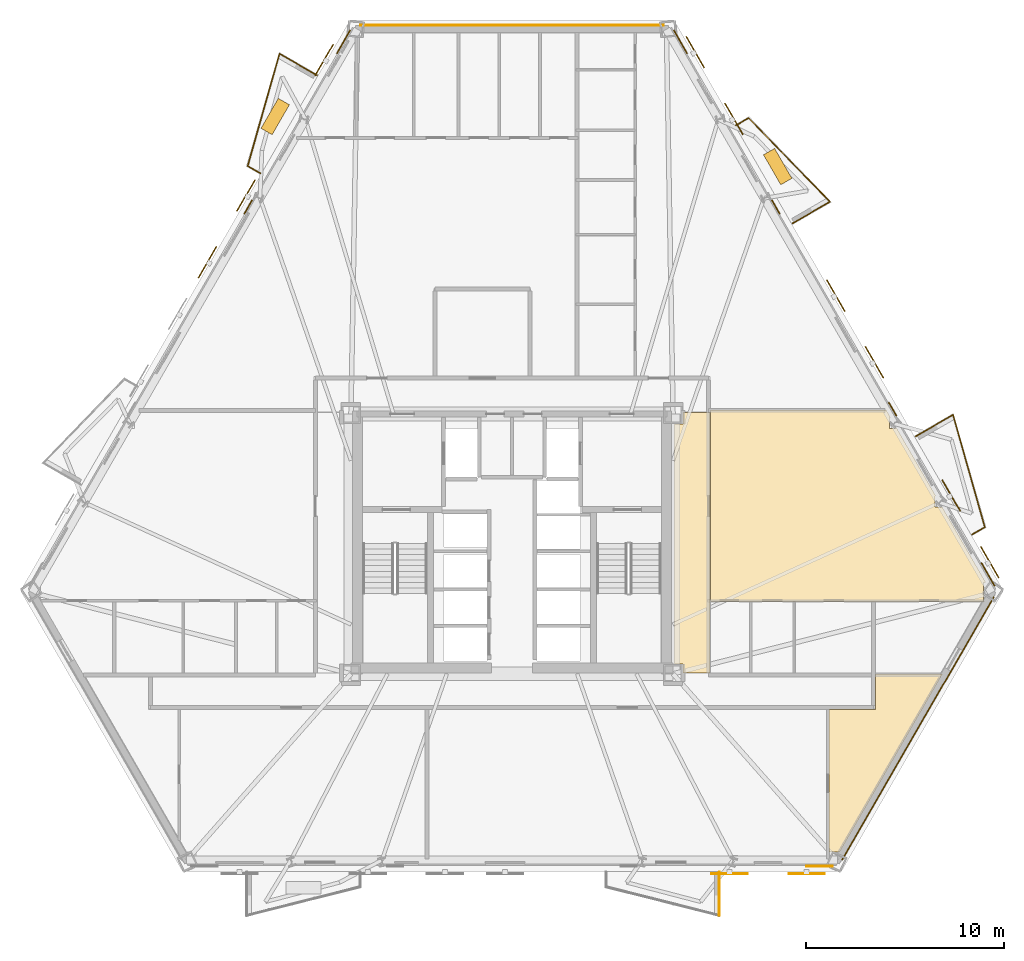
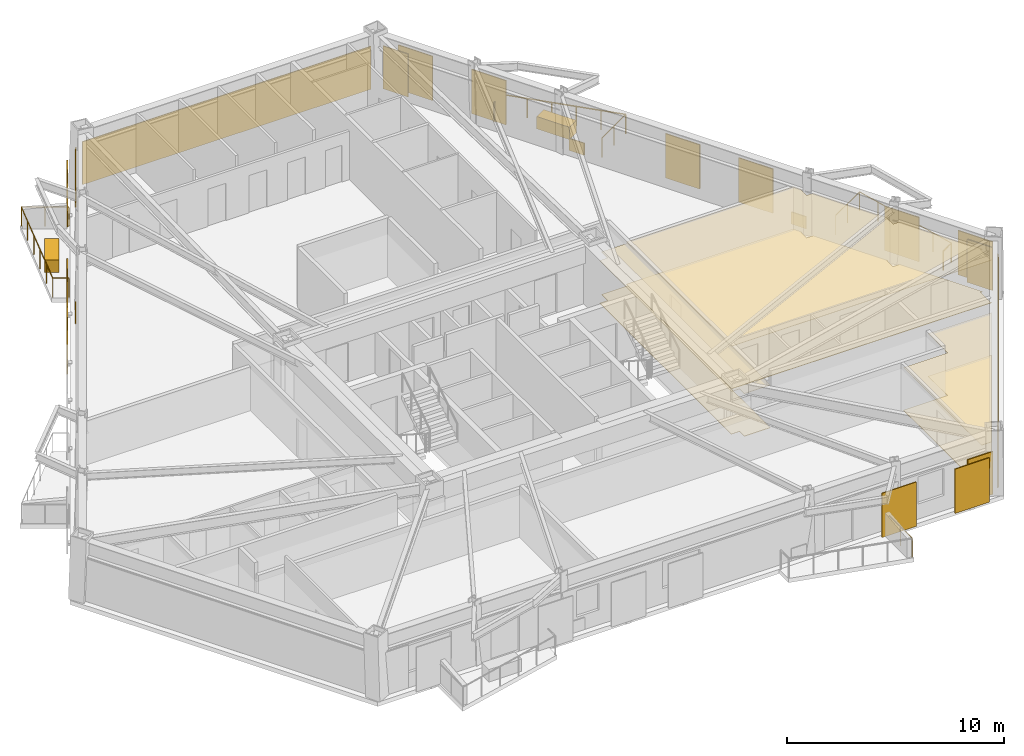
# One storey, part 12 of 12: 17 coverings, 11 shading devices, 10 railings.
"""IFC4 building model written with IfcOpenShell, lengths in metres."""

from ifc_helpers import new_model, si_unit, direction, frame, origin, origin_2d, place, context, subcontext, project, spatial, polyline, rectangle, circle, outline, extrude, material, layer, layer_set, type_object, element, save


model = new_model("IFC4")

# Units and contexts
model_context = context("Model", 3, precision=1e-05, world=origin(), true_north=direction((0.0, 1.0)))
body_context = subcontext(model_context, "Body", "Model", "MODEL_VIEW")
ifc_project = project(units=[si_unit("LENGTHUNIT", "METRE"), si_unit("AREAUNIT", "SQUARE_METRE"), si_unit("VOLUMEUNIT", "CUBIC_METRE"), si_unit("PLANEANGLEUNIT", "RADIAN"), si_unit("MASSUNIT", "GRAM", prefix="KILO")], contexts=[model_context])

# Site, building, storey
site_placement = place(None, origin())
site = spatial("IfcSite", under=ifc_project, at=site_placement, CompositionType="ELEMENT")
building_placement = place(site_placement, origin())
building = spatial("IfcBuilding", under=site, at=building_placement, Name="Oramaril Tower", CompositionType="ELEMENT")
storey_placement = place(building_placement, frame((0.0, 0.0, 30.89990234375)))
storey = spatial("IfcBuildingStorey", under=building, at=storey_placement, Name="L07", CompositionType="ELEMENT", Elevation=30.89990234375)

# Coverings
ifc_material_1 = material(Name="Mineral Fibre Acoustic Ceiling")
ifc_layer_1 = layer(ifc_material_1, 0.02001953125)
ifc_layer_set_1 = layer_set([ifc_layer_1], Name="CVT-CEIL")
covering_type_1 = type_object("IfcCoveringType", Name="CVT-CEIL", PredefinedType="CEILING", material=ifc_layer_set_1)
covering_1_placement = place(storey_placement, frame((0.0, 0.0, 2.400146484375)))
element("IfcCovering", 1, at=covering_1_placement, inside=storey, type_object=covering_type_1, Name="L07 Acoustic Suspended Ceiling 4", PredefinedType="CEILING", context=body_context, shape_type="SweptSolid", body=[
    extrude(outline(polyline([(47.530029296875, 11.050048828125), (46.14501953125, 11.050048828125), (46.14501953125, 11.4951171875), (45.719970703125, 11.4951171875), (45.719970703125, 23.655029296875), (46.14501953125, 23.655029296875), (46.14501953125, 24.219970703125), (47.530029296875, 24.219970703125), (47.530029296875, 11.050048828125)])), origin(), (0.0, 0.0, 1.0), 0.02001953125),
])
covering_2_placement = place(storey_placement, frame((0.0, 0.0, 2.400146484375)))
element("IfcCovering", 2, at=covering_2_placement, inside=storey, type_object=covering_type_1, Name="L07 Acoustic Suspended Ceiling 9", PredefinedType="CEILING", context=body_context, shape_type="SweptSolid", body=[
    extrude(outline(polyline([(59.28759765625, 10.991943359375), (54.090576171875, 1.990234375), (53.5537109375, 1.990234375), (53.5537109375, 9.199951171875), (55.8798828125, 9.199951171875), (55.882080078125, 9.2001953125), (55.8837890625, 9.200439453125), (55.8857421875, 9.200927734375), (55.8876953125, 9.201416015625), (55.889404296875, 9.202392578125), (55.89111328125, 9.203369140625), (55.892578125, 9.20458984375), (55.89404296875, 9.205810546875), (55.8955078125, 9.207275390625), (55.896484375, 9.208984375), (55.897705078125, 9.210693359375), (55.8984375, 9.21240234375), (55.899169921875, 9.214111328125), (55.899658203125, 9.216064453125), (55.89990234375, 9.218017578125), (55.89990234375, 9.219970703125), (55.89990234375, 10.991943359375), (59.28759765625, 10.991943359375)])), origin(), (0.0, 0.0, 1.0), 0.02001953125),
])
covering_3_placement = place(storey_placement, frame((0.0, 0.0, 2.400146484375)))
element("IfcCovering", 3, at=covering_3_placement, inside=storey, type_object=covering_type_1, Name="L07 Acoustic Suspended Ceiling 16", PredefinedType="CEILING", context=body_context, shape_type="SweptSolid", body=[
    extrude(outline(polyline([(56.65869140625, 23.96875), (56.6025390625, 23.96875), (56.6025390625, 23.42529296875), (56.972412109375, 23.42529296875), (58.956298828125, 19.989013671875), (58.9072265625, 19.989013671875), (58.9072265625, 19.43359375), (59.277099609375, 19.43359375), (61.476806640625, 15.623779296875), (61.358154296875, 15.623779296875), (61.358154296875, 14.6884765625), (61.421630859375, 14.6884765625), (61.400390625, 14.651611328125), (47.550048828125, 14.651611328125), (47.550048828125, 24.219970703125), (47.5498046875, 24.221923828125), (47.549560546875, 24.223876953125), (47.549072265625, 24.225830078125), (47.548583984375, 24.227783203125), (47.547607421875, 24.2294921875), (47.54736328125, 24.22998046875), (47.547607421875, 24.230712890625), (47.548583984375, 24.232421875), (47.549072265625, 24.234130859375), (47.549560546875, 24.236083984375), (47.5498046875, 24.238037109375), (47.550048828125, 24.239990234375), (47.550048828125, 24.362060546875), (56.431640625, 24.362060546875), (56.65869140625, 23.96875)])), origin(), (0.0, 0.0, 1.0), 0.02001953125),
])
ifc_material_2 = material(Name="Warm Cream Limestone", Category="masonry")
ifc_layer_2 = layer(ifc_material_2, 0.050048828125)
ifc_layer_set_2 = layer_set([ifc_layer_2], Name="CVT-CLD")
covering_type_2 = type_object("IfcCoveringType", Name="CVT-CLD", PredefinedType="CLADDING", material=ifc_layer_set_2)
covering_4_placement = place(storey_placement, frame((53.062255859375, 1.272705078125, 0.0400390625), z_axis=(0.0, 0.0, 1.0), x_axis=(1.0, 0.0, 0.0)))
element("IfcCovering", 4, at=covering_4_placement, inside=storey, type_object=covering_type_2, Name="L07 Warm Cream Limestone Cladding", PredefinedType="CLADDING", context=body_context, shape_type="SweptSolid", body=[
    extrude(rectangle(XDim=1.35009765625, YDim=0.050048828125, at=origin_2d()), origin(), (0.0, 0.0, 1.0), 2.4140625),
])
covering_5_placement = place(storey_placement, frame((58.045166015625, 8.23828125, 0.0400390625), z_axis=(0.0, 0.0, 1.0), x_axis=(0.4999984885, 0.866026276448, 0.0)))
element("IfcCovering", 5, at=covering_5_placement, inside=storey, type_object=covering_type_2, Name="L07 Warm Cream Limestone Cladding", PredefinedType="CLADDING", context=body_context, shape_type="SweptSolid", body=[
    extrude(rectangle(XDim=15.36328125, YDim=0.050048828125, at=origin_2d()), origin(), (0.0, 0.0, 1.0), 2.4140625),
])
for number, where, z_axis, x_axis, name in (
    (6, (61.5859375, 16.036376953125, 0.0400390625), (0.0, 0.0, 1.0), (-0.5, 0.866025403784, 0.0), "L07 Warm Cream Limestone Cladding"),
    (7, (46.023681640625, 42.990966796875, 0.0400390625), (0.0, 0.0, 1.0), (-0.5, 0.866025403784, 0.0), "L07 Warm Cream Limestone Cladding"),
):
    element("IfcCovering", number, at=place(storey_placement, frame(where, z_axis=z_axis, x_axis=x_axis)), inside=storey, type_object=covering_type_2, Name=name, PredefinedType="CLADDING", context=body_context, shape_type="SweptSolid", body=[
        extrude(rectangle(XDim=1.35009765625, YDim=0.050048828125, at=origin_2d()), origin(), (0.0, 0.0, 1.0), 2.4140625),
    ])
for number, where, z_axis, x_axis, name in (
    (8, (56.759033203125, 24.396728515625, 0.0400390625), (0.0, 0.0, 1.0), (-0.5, 0.866025403784, 0.0), "L07 Warm Cream Limestone Spandrel Cladding"),
    (9, (50.8505859375, 34.630615234375, 0.0400390625), (0.0, 0.0, 1.0), (-0.5, 0.866025403784, 0.0), "L07 Warm Cream Limestone Spandrel Cladding"),
):
    element("IfcCovering", number, at=place(storey_placement, frame(where, z_axis=z_axis, x_axis=x_axis)), inside=storey, type_object=covering_type_2, Name=name, PredefinedType="CLADDING", context=body_context, shape_type="SweptSolid", body=[
        extrude(rectangle(XDim=0.800048828125, YDim=0.050048828125, at=origin_2d()), origin(), (0.0, 0.0, 1.0), 0.679931640625),
    ])
covering_6_placement = place(storey_placement, frame((37.5, 43.823486328125, 0.0400390625), z_axis=(0.0, 0.0, 1.0), x_axis=(-1.0, 0.0, 0.0)))
element("IfcCovering", 10, at=covering_6_placement, inside=storey, type_object=covering_type_2, Name="L07 Warm Cream Limestone Cladding", PredefinedType="CLADDING", context=body_context, shape_type="SweptSolid", body=[
    extrude(rectangle(XDim=15.36328125, YDim=0.050048828125, at=origin_2d()), origin(), (0.0, 0.0, 1.0), 2.4140625),
])
covering_7_placement = place(storey_placement, frame((28.976318359375, 42.990966796875, 0.0400390625), z_axis=(0.0, 0.0, 1.0), x_axis=(-0.5, -0.866025403784, 0.0)))
element("IfcCovering", 11, at=covering_7_placement, inside=storey, type_object=covering_type_2, Name="L07 Warm Cream Limestone Cladding", PredefinedType="CLADDING", context=body_context, shape_type="SweptSolid", body=[
    extrude(rectangle(XDim=1.35009765625, YDim=0.050048828125, at=origin_2d()), origin(), (0.0, 0.0, 1.0), 2.4140625),
])
covering_8_placement = place(storey_placement, frame((24.1494140625, 34.630615234375, 0.0400390625), z_axis=(0.0, 0.0, 1.0), x_axis=(-0.5, -0.866025403784, 0.0)))
element("IfcCovering", 12, at=covering_8_placement, inside=storey, type_object=covering_type_2, Name="L07 Warm Cream Limestone Spandrel Cladding", PredefinedType="CLADDING", context=body_context, shape_type="SweptSolid", body=[
    extrude(rectangle(XDim=0.800048828125, YDim=0.050048828125, at=origin_2d()), origin(), (0.0, 0.0, 1.0), 0.679931640625),
])
for number, where, z_axis, x_axis, name in (
    (13, (50.94677734375, 36.67138671875, 0.0), (0.0, 0.0, 1.0), (-0.500001511499, 0.866024531118, 0.0), "L07 Structural Tree Planter Box L07-BAL-NE2"),
    (14, (25.515869140625, 39.20458984375, 0.0), (0.0, 0.0, 1.0), (-0.500001511499, -0.866024531118, 0.0), "L07 Structural Tree Planter Box L07-BAL-NW1"),
):
    element("IfcCovering", number, at=place(storey_placement, frame(where, z_axis=z_axis, x_axis=x_axis)), inside=storey, type_object=covering_type_2, Name=name, PredefinedType="CLADDING", context=body_context, shape_type="SweptSolid", body=[
        extrude(rectangle(XDim=1.75, YDim=0.64990234375, at=origin_2d()), origin(), (0.0, 0.0, 1.0), 0.699951171875),
    ])
ifc_material_3 = material(Name="Honed Quartzite Stone Flooring", Category="masonry")
ifc_layer_3 = layer(ifc_material_3, 0.02490234375)
ifc_layer_set_3 = layer_set([ifc_layer_3], Name="CVT-FLR")
covering_type_3 = type_object("IfcCoveringType", Name="CVT-FLR", PredefinedType="FLOORING", material=ifc_layer_set_3)
covering_9_placement = place(storey_placement, origin())
element("IfcCovering", 15, at=covering_9_placement, inside=storey, type_object=covering_type_3, Name="L07 Honed Stone Floor Finish 4", PredefinedType="FLOORING", context=body_context, shape_type="SweptSolid", body=[
    extrude(outline(polyline([(47.530029296875, 11.050048828125), (46.14501953125, 11.050048828125), (46.14501953125, 11.4951171875), (45.719970703125, 11.4951171875), (45.719970703125, 23.655029296875), (46.14501953125, 23.655029296875), (46.14501953125, 24.219970703125), (47.530029296875, 24.219970703125), (47.530029296875, 11.050048828125)])), origin(), (0.0, 0.0, 1.0), 0.025146484375),
])
covering_10_placement = place(storey_placement, origin())
element("IfcCovering", 16, at=covering_10_placement, inside=storey, type_object=covering_type_3, Name="L07 Honed Stone Floor Finish 9", PredefinedType="FLOORING", context=body_context, shape_type="SweptSolid", body=[
    extrude(outline(polyline([(59.28759765625, 10.991943359375), (54.090576171875, 1.990234375), (53.5537109375, 1.990234375), (53.5537109375, 9.199951171875), (55.8798828125, 9.199951171875), (55.882080078125, 9.2001953125), (55.8837890625, 9.200439453125), (55.8857421875, 9.200927734375), (55.8876953125, 9.201416015625), (55.889404296875, 9.202392578125), (55.89111328125, 9.203369140625), (55.892578125, 9.20458984375), (55.89404296875, 9.205810546875), (55.8955078125, 9.207275390625), (55.896484375, 9.208984375), (55.897705078125, 9.210693359375), (55.8984375, 9.21240234375), (55.899169921875, 9.214111328125), (55.899658203125, 9.216064453125), (55.89990234375, 9.218017578125), (55.89990234375, 9.219970703125), (55.89990234375, 10.991943359375), (59.28759765625, 10.991943359375)])), origin(), (0.0, 0.0, 1.0), 0.025146484375),
])
covering_11_placement = place(storey_placement, origin())
element("IfcCovering", 17, at=covering_11_placement, inside=storey, type_object=covering_type_3, Name="L07 Honed Stone Floor Finish 16", PredefinedType="FLOORING", context=body_context, shape_type="SweptSolid", body=[
    extrude(outline(polyline([(56.65869140625, 23.96875), (56.6025390625, 23.96875), (56.6025390625, 23.42529296875), (56.972412109375, 23.42529296875), (58.956298828125, 19.989013671875), (58.9072265625, 19.989013671875), (58.9072265625, 19.43359375), (59.277099609375, 19.43359375), (61.476806640625, 15.623779296875), (61.358154296875, 15.623779296875), (61.358154296875, 14.6884765625), (61.421630859375, 14.6884765625), (61.400390625, 14.651611328125), (47.550048828125, 14.651611328125), (47.550048828125, 24.219970703125), (47.5498046875, 24.221923828125), (47.549560546875, 24.223876953125), (47.549072265625, 24.225830078125), (47.548583984375, 24.227783203125), (47.547607421875, 24.2294921875), (47.54736328125, 24.22998046875), (47.547607421875, 24.230712890625), (47.548583984375, 24.232421875), (47.549072265625, 24.234130859375), (47.549560546875, 24.236083984375), (47.5498046875, 24.238037109375), (47.550048828125, 24.239990234375), (47.550048828125, 24.362060546875), (56.431640625, 24.362060546875), (56.65869140625, 23.96875)])), origin(), (0.0, 0.0, 1.0), 0.025146484375),
])

# Railings
ifc_material_4 = material(Name="Stainless Steel 316L", Category="steel")
railing_type = type_object("IfcRailingType", Name="RLT-GRD", PredefinedType="GUARDRAIL", material=ifc_material_4)
railing_1_placement = place(storey_placement, frame((47.992919921875, 0.957763671875, 0.0)))
element("IfcRailing", 18, at=railing_1_placement, inside=storey, type_object=railing_type, Name="L07 Balcony Guardrail L07-BAL-S2.1", PredefinedType="GUARDRAIL", context=body_context, shape_type="SweptSolid", body=[
    extrude(circle(Radius=0.02392578125, at=origin_2d()), frame((0.0, 0.0, 1.076171875), z_axis=(0.0, -1.0, 0.0), x_axis=(1.0, 0.0, 0.0)), (0.0, 0.0, 1.0), 2.192138671875),
    extrude(circle(Radius=0.02099609375, at=origin_2d()), origin(), (0.0, 0.0, 1.0), 1.052001953125),
    extrude(circle(Radius=0.02099609375, at=origin_2d()), frame((0.0, -1.09619140625, 0.0)), (0.0, 0.0, 1.0), 1.052001953125),
    extrude(circle(Radius=0.02099609375, at=origin_2d()), frame((0.0, -2.192138671875, 0.0)), (0.0, 0.0, 1.0), 1.052001953125),
])
railing_2_placement = place(storey_placement, frame((57.921630859375, 23.01318359375, 0.0)))
element("IfcRailing", 19, at=railing_2_placement, inside=storey, type_object=railing_type, Name="L07 Balcony Guardrail L07-BAL-NE1.1", PredefinedType="GUARDRAIL", context=body_context, shape_type="SweptSolid", body=[
    extrude(circle(Radius=0.02392578125, at=origin_2d()), frame((0.0, 0.0, 1.076171875), z_axis=(0.866048343933, 0.499960264392, 0.0), x_axis=(-0.499960264392, 0.866048343933, 0.0)), (0.0, 0.0, 1.0), 2.192138671875),
    extrude(circle(Radius=0.02099609375, at=origin_2d()), origin(), (0.0, 0.0, 1.0), 1.052001953125),
    extrude(circle(Radius=0.02099609375, at=origin_2d()), frame((0.94921875, 0.5478515625, 0.0)), (0.0, 0.0, 1.0), 1.052001953125),
    extrude(circle(Radius=0.02099609375, at=origin_2d()), frame((1.8984375, 1.095947265625, 0.0)), (0.0, 0.0, 1.0), 1.052001953125),
])
railing_3_placement = place(storey_placement, frame((59.820068359375, 24.109130859375, 0.0)))
element("IfcRailing", 20, at=railing_3_placement, inside=storey, type_object=railing_type, Name="L07 Balcony Guardrail L07-BAL-NE1.2", PredefinedType="GUARDRAIL", context=body_context, shape_type="SweptSolid", body=[
    extrude(circle(Radius=0.02392578125, at=origin_2d()), frame((0.0, 0.0, 1.076171875), z_axis=(0.272259686627, -0.962223811303, 0.0), x_axis=(0.962223811303, 0.272259686627, 0.0)), (0.0, 0.0, 1.0), 5.910400390625),
    extrude(circle(Radius=0.02099609375, at=origin_2d()), origin(), (0.0, 0.0, 1.0), 1.052001953125),
    extrude(circle(Radius=0.02099609375, at=origin_2d()), frame((0.32177734375, -1.137451171875, 0.0)), (0.0, 0.0, 1.0), 1.052001953125),
    extrude(circle(Radius=0.02099609375, at=origin_2d()), frame((0.6435546875, -2.27490234375, 0.0)), (0.0, 0.0, 1.0), 1.052001953125),
    extrude(circle(Radius=0.02099609375, at=origin_2d()), frame((0.965576171875, -3.412109375, 0.0)), (0.0, 0.0, 1.0), 1.052001953125),
    extrude(circle(Radius=0.02099609375, at=origin_2d()), frame((1.287353515625, -4.549560546875, 0.0)), (0.0, 0.0, 1.0), 1.052001953125),
    extrude(circle(Radius=0.02099609375, at=origin_2d()), frame((1.609130859375, -5.68701171875, 0.0)), (0.0, 0.0, 1.0), 1.052001953125),
])
railing_4_placement = place(storey_placement, frame((61.42919921875, 18.422119140625, 0.0)))
element("IfcRailing", 21, at=railing_4_placement, inside=storey, type_object=railing_type, Name="L07 Balcony Guardrail L07-BAL-NE1.3", PredefinedType="GUARDRAIL", context=body_context, shape_type="SweptSolid", body=[
    extrude(circle(Radius=0.02392578125, at=origin_2d()), frame((0.0, 0.0, 1.076171875), z_axis=(-0.865966403178, -0.500102178127, 0.0), x_axis=(0.500102178127, -0.865966403178, 0.0)), (0.0, 0.0, 1.0), 0.741943359375),
    extrude(circle(Radius=0.02099609375, at=origin_2d()), origin(), (0.0, 0.0, 1.0), 1.052001953125),
    extrude(circle(Radius=0.02099609375, at=origin_2d()), frame((-0.642578125, -0.37109375, 0.0)), (0.0, 0.0, 1.0), 1.052001953125),
])
railing_5_placement = place(storey_placement, frame((48.831298828125, 38.75830078125, 0.0)))
element("IfcRailing", 22, at=railing_5_placement, inside=storey, type_object=railing_type, Name="L07 Balcony Guardrail L07-BAL-NE2.1", PredefinedType="GUARDRAIL", context=body_context, shape_type="SweptSolid", body=[
    extrude(circle(Radius=0.02392578125, at=origin_2d()), frame((0.0, 0.0, 1.076171875), z_axis=(0.866108878364, 0.499855389907, 0.0), x_axis=(-0.499855389907, 0.866108878364, 0.0)), (0.0, 0.0, 1.0), 0.741943359375),
    extrude(circle(Radius=0.02099609375, at=origin_2d()), origin(), (0.0, 0.0, 1.0), 1.052001953125),
    extrude(circle(Radius=0.02099609375, at=origin_2d()), frame((0.642578125, 0.370849609375, 0.0)), (0.0, 0.0, 1.0), 1.052001953125),
])
railing_6_placement = place(storey_placement, frame((49.473876953125, 39.129150390625, 0.0)))
element("IfcRailing", 23, at=railing_6_placement, inside=storey, type_object=railing_type, Name="L07 Balcony Guardrail L07-BAL-NE2.2", PredefinedType="GUARDRAIL", context=body_context, shape_type="SweptSolid", body=[
    extrude(circle(Radius=0.02392578125, at=origin_2d()), frame((0.0, 0.0, 1.076171875), z_axis=(0.697186331907, -0.716889962688, 0.0), x_axis=(0.716889962688, 0.697186331907, 0.0)), (0.0, 0.0, 1.0), 5.910400390625),
    extrude(circle(Radius=0.02099609375, at=origin_2d()), origin(), (0.0, 0.0, 1.0), 1.052001953125),
    extrude(circle(Radius=0.02099609375, at=origin_2d()), frame((0.82421875, -0.847412109375, 0.0)), (0.0, 0.0, 1.0), 1.052001953125),
    extrude(circle(Radius=0.02099609375, at=origin_2d()), frame((1.648193359375, -1.69482421875, 0.0)), (0.0, 0.0, 1.0), 1.052001953125),
    extrude(circle(Radius=0.02099609375, at=origin_2d()), frame((2.472412109375, -2.542236328125, 0.0)), (0.0, 0.0, 1.0), 1.052001953125),
    extrude(circle(Radius=0.02099609375, at=origin_2d()), frame((3.29638671875, -3.3896484375, 0.0)), (0.0, 0.0, 1.0), 1.052001953125),
    extrude(circle(Radius=0.02099609375, at=origin_2d()), frame((4.12060546875, -4.237060546875, 0.0)), (0.0, 0.0, 1.0), 1.052001953125),
])
railing_7_placement = place(storey_placement, frame((53.594482421875, 34.89208984375, 0.0)))
element("IfcRailing", 24, at=railing_7_placement, inside=storey, type_object=railing_type, Name="L07 Balcony Guardrail L07-BAL-NE2.3", PredefinedType="GUARDRAIL", context=body_context, shape_type="SweptSolid", body=[
    extrude(circle(Radius=0.02392578125, at=origin_2d()), frame((0.0, 0.0, 1.076171875), z_axis=(-0.865972267571, -0.50009202333, 0.0), x_axis=(0.50009202333, -0.865972267571, 0.0)), (0.0, 0.0, 1.0), 2.19189453125),
    extrude(circle(Radius=0.02099609375, at=origin_2d()), origin(), (0.0, 0.0, 1.0), 1.052001953125),
    extrude(circle(Radius=0.02099609375, at=origin_2d()), frame((-0.94921875, -0.548095703125, 0.0)), (0.0, 0.0, 1.0), 1.052001953125),
    extrude(circle(Radius=0.02099609375, at=origin_2d()), frame((-1.898193359375, -1.09619140625, 0.0)), (0.0, 0.0, 1.0), 1.052001953125),
])
railing_8_placement = place(storey_placement, frame((24.76611328125, 36.3291015625, 0.0)))
element("IfcRailing", 25, at=railing_8_placement, inside=storey, type_object=railing_type, Name="L07 Balcony Guardrail L07-BAL-NW1.1", PredefinedType="GUARDRAIL", context=body_context, shape_type="SweptSolid", body=[
    extrude(circle(Radius=0.02392578125, at=origin_2d()), frame((0.0, 0.0, 1.076171875), z_axis=(-0.865884080729, 0.500244698863, 0.0), x_axis=(-0.500244698863, -0.865884080729, 0.0)), (0.0, 0.0, 1.0), 0.741943359375),
    extrude(circle(Radius=0.02099609375, at=origin_2d()), origin(), (0.0, 0.0, 1.0), 1.052001953125),
    extrude(circle(Radius=0.02099609375, at=origin_2d()), frame((-0.642333984375, 0.37109375, 0.0)), (0.0, 0.0, 1.0), 1.052001953125),
])
railing_9_placement = place(storey_placement, frame((24.123779296875, 36.7001953125, 0.0)))
element("IfcRailing", 26, at=railing_9_placement, inside=storey, type_object=railing_type, Name="L07 Balcony Guardrail L07-BAL-NW1.2", PredefinedType="GUARDRAIL", context=body_context, shape_type="SweptSolid", body=[
    extrude(circle(Radius=0.02392578125, at=origin_2d()), frame((0.0, 0.0, 1.076171875), z_axis=(0.272259686627, 0.962223811303, 0.0), x_axis=(-0.962223811303, 0.272259686627, 0.0)), (0.0, 0.0, 1.0), 5.910400390625),
    extrude(circle(Radius=0.02099609375, at=origin_2d()), origin(), (0.0, 0.0, 1.0), 1.052001953125),
    extrude(circle(Radius=0.02099609375, at=origin_2d()), frame((0.32177734375, 1.137451171875, 0.0)), (0.0, 0.0, 1.0), 1.052001953125),
    extrude(circle(Radius=0.02099609375, at=origin_2d()), frame((0.6435546875, 2.27490234375, 0.0)), (0.0, 0.0, 1.0), 1.052001953125),
    extrude(circle(Radius=0.02099609375, at=origin_2d()), frame((0.965576171875, 3.412109375, 0.0)), (0.0, 0.0, 1.0), 1.052001953125),
    extrude(circle(Radius=0.02099609375, at=origin_2d()), frame((1.287353515625, 4.549560546875, 0.0)), (0.0, 0.0, 1.0), 1.052001953125),
    extrude(circle(Radius=0.02099609375, at=origin_2d()), frame((1.609130859375, 5.68701171875, 0.0)), (0.0, 0.0, 1.0), 1.052001953125),
])
railing_10_placement = place(storey_placement, frame((25.73291015625, 42.38720703125, 0.0)))
element("IfcRailing", 27, at=railing_10_placement, inside=storey, type_object=railing_type, Name="L07 Balcony Guardrail L07-BAL-NW1.3", PredefinedType="GUARDRAIL", context=body_context, shape_type="SweptSolid", body=[
    extrude(circle(Radius=0.02392578125, at=origin_2d()), frame((0.0, 0.0, 1.076171875), z_axis=(0.866020500697, -0.5000084923, 0.0), x_axis=(0.5000084923, 0.866020500697, 0.0)), (0.0, 0.0, 1.0), 2.19189453125),
    extrude(circle(Radius=0.02099609375, at=origin_2d()), origin(), (0.0, 0.0, 1.0), 1.052001953125),
    extrude(circle(Radius=0.02099609375, at=origin_2d()), frame((0.94921875, -0.5478515625, 0.0)), (0.0, 0.0, 1.0), 1.052001953125),
    extrude(circle(Radius=0.02099609375, at=origin_2d()), frame((1.898193359375, -1.095947265625, 0.0)), (0.0, 0.0, 1.0), 1.052001953125),
])

# Shading devices
for number, where, z_axis, x_axis, name in (
    (28, (48.510498046875, 0.8857421875, -0.02001953125), (0.0, 0.0, 1.0), (1.0, 0.0, 0.0), "L07 Perforated Ceramic Solar Screen"),
    (29, (52.410400390625, 0.8857421875, -0.02001953125), (0.0, 0.0, 1.0), (1.0, 0.0, 0.0), "L07 Perforated Ceramic Solar Screen"),
    (30, (61.681396484375, 16.645263671875, -0.02001953125), (0.0, 0.0, 1.0), (-0.5, 0.866025403784, 0.0), "L07 Perforated Ceramic Solar Screen"),
    (31, (59.731201171875, 20.022705078125, -0.02001953125), (0.0, 0.0, 1.0), (-0.5, 0.866025403784, 0.0), "L07 Perforated Ceramic Solar Screen"),
    (32, (55.840576171875, 26.761962890625, -0.02001953125), (0.0, 0.0, 1.0), (-0.5, 0.866025403784, 0.0), "L07 Perforated Ceramic Solar Screen"),
    (33, (53.890380859375, 30.139404296875, -0.02001953125), (0.0, 0.0, 1.0), (-0.5, 0.866025403784, 0.0), "L07 Perforated Ceramic Solar Screen"),
    (34, (48.726806640625, 39.08349609375, -0.02001953125), (0.0, 0.0, 1.0), (-0.5, 0.866025403784, 0.0), "L07 Perforated Ceramic Solar Screen"),
    (35, (46.776611328125, 42.4609375, -0.02001953125), (0.0, 0.0, 1.0), (-0.5, 0.866025403784, 0.0), "L07 Perforated Ceramic Solar Screen"),
    (36, (24.036376953125, 35.208740234375, -0.02001953125), (0.0, 0.0, 1.0), (-0.5, -0.866025403784, 0.0), "L07 Perforated Ceramic Solar Screen"),
    (37, (22.086181640625, 31.831298828125, -0.02001953125), (0.0, 0.0, 1.0), (-0.5, -0.866025403784, 0.0), "L07 Perforated Ceramic Solar Screen"),
    (38, (27.996826171875, 42.068603515625, -0.02001953125), (0.0, 0.0, 1.0), (-0.5, -0.866025403784, 0.0), "L07 Perforated Ceramic Solar Screen"),
):
    element("IfcShadingDevice", number, at=place(storey_placement, frame(where, z_axis=z_axis, x_axis=x_axis)), inside=storey, Name=name, ObjectType="SCREEN", PredefinedType="USERDEFINED", context=body_context, shape_type="SweptSolid", body=[
        extrude(rectangle(XDim=1.8330078125, YDim=0.050048828125, at=origin_2d()), origin(), (0.0, 0.0, 1.0), 2.493896484375),
    ])

save(model, "model.ifc")
